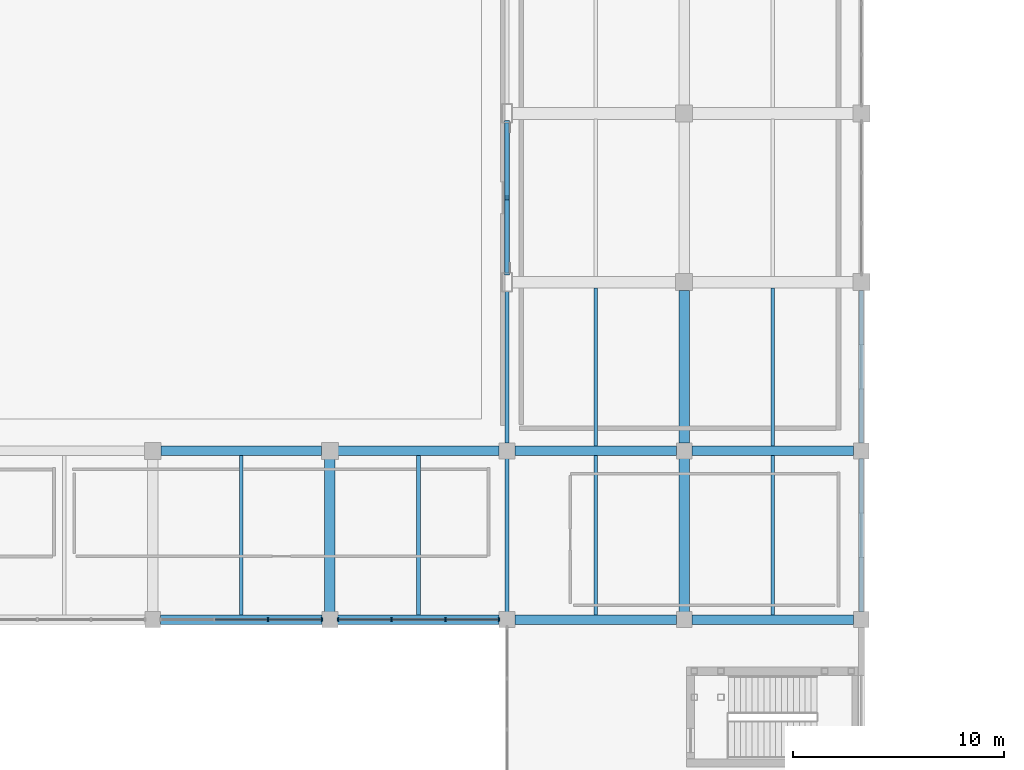
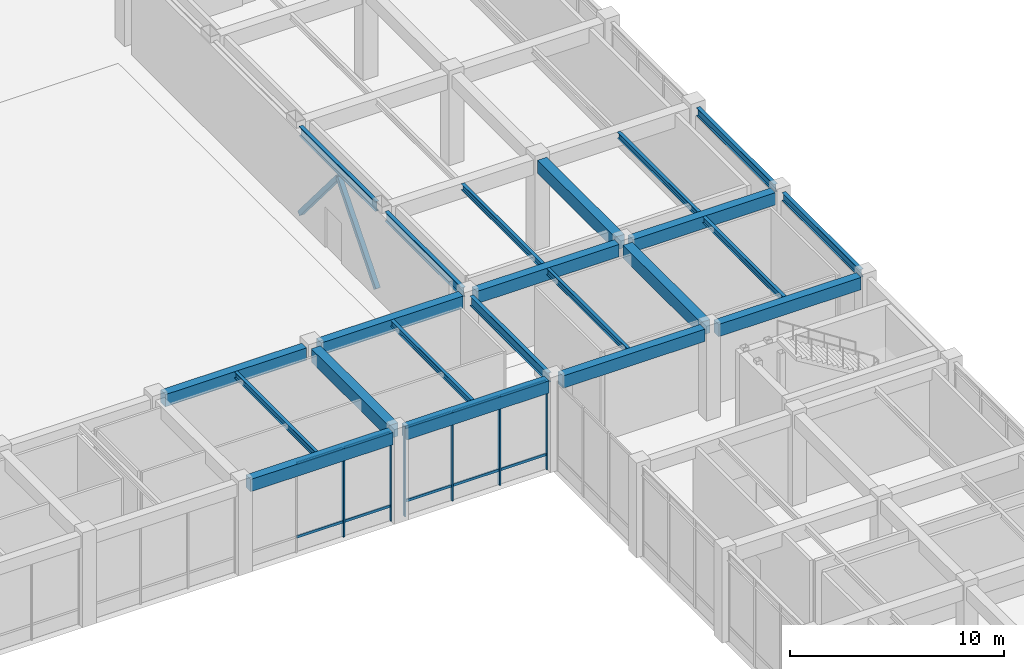
# One storey, part 39 of 79: 22 beams, 18 members, 2 elements without a shape of their own.
"""IFC4 building model written with IfcOpenShell, lengths in metres."""

from ifc_helpers import new_model, si_unit, direction, frame, origin, origin_2d, place, context, subcontext, project, spatial, rectangle, hollow_rectangle, i_section, extrude, material, layer, layer_set, material_profile, profile_set, type_object, element, aggregate, save


model = new_model("IFC4")

# Units and contexts
model_context = context("Model", 3, precision=1e-05, world=origin(), true_north=direction((0.0, 1.0)))
body_context = subcontext(model_context, "Body", "Model", "MODEL_VIEW")
ifc_project = project(units=[si_unit("LENGTHUNIT", "METRE"), si_unit("AREAUNIT", "SQUARE_METRE"), si_unit("VOLUMEUNIT", "CUBIC_METRE"), si_unit("PLANEANGLEUNIT", "RADIAN"), si_unit("MASSUNIT", "GRAM", prefix="KILO")], contexts=[model_context])

# Site, building, storey
site_placement = place(None, origin())
site = spatial("IfcSite", under=ifc_project, at=site_placement, CompositionType="ELEMENT")
building_placement = place(site_placement, origin())
building = spatial("IfcBuilding", under=site, at=building_placement, Name="Naruveol Harbour Congress Hotel", CompositionType="ELEMENT")
storey_placement = place(building_placement, frame((0.0, 0.0, 6.0)))
storey = spatial("IfcBuildingStorey", under=building, at=storey_placement, Name="L01", CompositionType="ELEMENT", Elevation=6.0)

# Beams
ifc_material_1 = material(Name="Concrete C40/50", Category="concrete")
ifc_material_profile_1 = material_profile(ifc_material_1, rectangle(XDim=0.5, YDim=0.75, at=origin_2d()), Name="RCB-500x750")
ifc_profile_set_1 = profile_set([ifc_material_profile_1], Name="Concrete C40/50")
beam_type_1 = type_object("IfcBeamType", Name="RC FLOOR GIRDER 500X750", PredefinedType="BEAM", material=ifc_profile_set_1)
beam_1_placement = place(storey_placement, frame((100.800048828125, 64.37109375, 4.7451171875), z_axis=(0.0, 1.0, 0.0), x_axis=(-1.0, 0.0, 0.0)))
element("IfcBeam", 1, at=beam_1_placement, inside=storey, type_object=beam_type_1, Name="Transverse girder L02 CB3", PredefinedType="BEAM", context=body_context, shape_type="SweptSolid", body=[
    extrude(rectangle(XDim=0.5, YDim=0.75, at=origin_2d()), origin(), (0.0, 0.0, 1.0), 7.23291015625),
])
beam_2_placement = place(storey_placement, frame((117.60009765625, 64.37109375, 4.7451171875), z_axis=(0.0, 1.0, 0.0), x_axis=(-1.0, 0.0, 0.0)))
element("IfcBeam", 2, at=beam_2_placement, inside=storey, type_object=beam_type_1, Name="Transverse girder L02 CB3", PredefinedType="BEAM", context=body_context, shape_type="SweptSolid", body=[
    extrude(rectangle(XDim=0.5, YDim=0.75, at=origin_2d()), origin(), (0.0, 0.0, 1.0), 7.2578125),
])
beam_3_placement = place(storey_placement, frame((117.60009765625, 72.37109375, 4.7451171875), z_axis=(0.0, 1.0, 0.0), x_axis=(-1.0, 0.0, 0.0)))
element("IfcBeam", 3, at=beam_3_placement, inside=storey, type_object=beam_type_1, Name="Transverse girder L02 CB3", PredefinedType="BEAM", context=body_context, shape_type="SweptSolid", body=[
    extrude(rectangle(XDim=0.5, YDim=0.75, at=origin_2d()), origin(), (0.0, 0.0, 1.0), 7.23291015625),
])
ifc_material_2 = material(Name="Concrete C40/50", Category="concrete")
ifc_material_profile_2 = material_profile(ifc_material_2, rectangle(XDim=0.449951171875, YDim=0.699951171875, at=origin_2d()), Name="RCB-450x700")
ifc_profile_set_2 = profile_set([ifc_material_profile_2], Name="Concrete C40/50")
beam_type_2 = type_object("IfcBeamType", Name="RC SPANDREL BEAM 450X700", PredefinedType="SPANDREL", material=ifc_profile_set_2)
beam_4_placement = place(storey_placement, frame((92.77099609375, 64.0, 4.800048828125), z_axis=(1.0, 0.0, 0.0), x_axis=(0.0, 1.0, 0.0)))
element("IfcBeam", 4, at=beam_4_placement, inside=storey, type_object=beam_type_2, Name="Floor girder L02 SPB1", PredefinedType="SPANDREL", context=body_context, shape_type="SweptSolid", body=[
    extrude(rectangle(XDim=0.449951171875, YDim=0.699951171875, at=origin_2d()), origin(), (0.0, 0.0, 1.0), 7.657958984375),
])
beam_5_placement = place(storey_placement, frame((101.1708984375, 64.0, 4.800048828125), z_axis=(1.0, 0.0, 0.0), x_axis=(0.0, 1.0, 0.0)))
element("IfcBeam", 5, at=beam_5_placement, inside=storey, type_object=beam_type_2, Name="Floor girder L02 SPB1", PredefinedType="SPANDREL", context=body_context, shape_type="SweptSolid", body=[
    extrude(rectangle(XDim=0.449951171875, YDim=0.699951171875, at=origin_2d()), origin(), (0.0, 0.0, 1.0), 7.658203125),
])
for number, where, z_axis, x_axis, name in (
    (6, (109.571044921875, 64.0, 4.800048828125), (1.0, 0.0, 0.0), (0.0, 1.0, 0.0), "Floor girder L02 SPB1"),
    (7, (117.970947265625, 64.0, 4.800048828125), (1.0, 0.0, 0.0), (0.0, 1.0, 0.0), "Floor girder L02 SPB1"),
):
    element("IfcBeam", number, at=place(storey_placement, frame(where, z_axis=z_axis, x_axis=x_axis)), inside=storey, type_object=beam_type_2, Name=name, PredefinedType="SPANDREL", context=body_context, shape_type="SweptSolid", body=[
        extrude(rectangle(XDim=0.449951171875, YDim=0.699951171875, at=origin_2d()), origin(), (0.0, 0.0, 1.0), 7.657958984375),
    ])
beam_6_placement = place(storey_placement, frame((92.7958984375, 72.0, 4.77001953125), z_axis=(1.0, 0.0, 0.0), x_axis=(0.0, 1.0, 0.0)))
element("IfcBeam", 8, at=beam_6_placement, inside=storey, type_object=beam_type_2, Name="Floor girder L02 SPB1", PredefinedType="SPANDREL", context=body_context, shape_type="SweptSolid", body=[
    extrude(rectangle(XDim=0.449951171875, YDim=0.699951171875, at=origin_2d()), origin(), (0.0, 0.0, 1.0), 7.608154296875),
])
beam_7_placement = place(storey_placement, frame((101.196044921875, 72.0, 4.77001953125), z_axis=(1.0, 0.0, 0.0), x_axis=(0.0, 1.0, 0.0)))
element("IfcBeam", 9, at=beam_7_placement, inside=storey, type_object=beam_type_2, Name="Floor girder L02 SPB1", PredefinedType="SPANDREL", context=body_context, shape_type="SweptSolid", body=[
    extrude(rectangle(XDim=0.449951171875, YDim=0.699951171875, at=origin_2d()), origin(), (0.0, 0.0, 1.0), 7.633056640625),
])
for number, where, z_axis, x_axis, name in (
    (10, (109.571044921875, 72.0, 4.77001953125), (1.0, 0.0, 0.0), (0.0, 1.0, 0.0), "Floor girder L02 SPB1"),
    (11, (117.970947265625, 72.0, 4.77001953125), (1.0, 0.0, 0.0), (0.0, 1.0, 0.0), "Floor girder L02 SPB1"),
):
    element("IfcBeam", number, at=place(storey_placement, frame(where, z_axis=z_axis, x_axis=x_axis)), inside=storey, type_object=beam_type_2, Name=name, PredefinedType="SPANDREL", context=body_context, shape_type="SweptSolid", body=[
        extrude(rectangle(XDim=0.449951171875, YDim=0.699951171875, at=origin_2d()), origin(), (0.0, 0.0, 1.0), 7.657958984375),
    ])
ifc_material_3 = material(Name="Steel SN490", Category="steel")
ifc_material_profile_3 = material_profile(ifc_material_3, i_section(OverallWidth=0.199951171875, OverallDepth=0.550048828125, WebThickness=0.010986328125, FlangeThickness=0.01708984375, at=origin_2d()), Name="H-550x200x11x17")
ifc_profile_set_3 = profile_set([ifc_material_profile_3], Name="Steel SN490")
beam_type_3 = type_object("IfcBeamType", Name="STEEL HALL GALLERY BEAM H550", PredefinedType="BEAM", material=ifc_profile_set_3)
beam_8_placement = place(storey_placement, frame((109.199951171875, 64.37109375, 4.844970703125), z_axis=(0.0, 1.0, 0.0), x_axis=(-1.0, 0.0, 0.0)))
element("IfcBeam", 12, at=beam_8_placement, inside=storey, type_object=beam_type_3, Name="Transverse girder L02 SB4", PredefinedType="BEAM", context=body_context, shape_type="SweptSolid", body=[
    extrude(i_section(OverallWidth=0.199951171875, OverallDepth=0.550048828125, WebThickness=0.010986328125, FlangeThickness=0.01708984375, at=origin_2d()), origin(), (0.0, 0.0, 1.0), 7.2578125),
])
beam_9_placement = place(storey_placement, frame((109.199951171875, 72.37109375, 4.844970703125), z_axis=(0.0, 1.0, 0.0), x_axis=(-1.0, 0.0, 0.0)))
element("IfcBeam", 13, at=beam_9_placement, inside=storey, type_object=beam_type_3, Name="Transverse girder L02 SB4", PredefinedType="BEAM", context=body_context, shape_type="SweptSolid", body=[
    extrude(i_section(OverallWidth=0.199951171875, OverallDepth=0.550048828125, WebThickness=0.010986328125, FlangeThickness=0.01708984375, at=origin_2d()), origin(), (0.0, 0.0, 1.0), 7.182861328125),
])
beam_10_placement = place(storey_placement, frame((109.199951171875, 80.446044921875, 4.844970703125), z_axis=(0.0, 1.0, 0.0), x_axis=(-1.0, 0.0, 0.0)))
element("IfcBeam", 14, at=beam_10_placement, inside=storey, type_object=beam_type_3, Name="Transverse girder L02 SB4", PredefinedType="BEAM", context=body_context, shape_type="SweptSolid", body=[
    extrude(i_section(OverallWidth=0.199951171875, OverallDepth=0.550048828125, WebThickness=0.010986328125, FlangeThickness=0.01708984375, at=origin_2d()), origin(), (0.0, 0.0, 1.0), 7.10791015625),
])

# Members
ifc_material_4 = material(Name="Steel SN490", Category="steel")
ifc_material_profile_4 = material_profile(ifc_material_4, hollow_rectangle(XDim=0.25, YDim=0.25, WallThickness=0.011962890625, at=origin_2d()), Name="SHS-250x250x12")
ifc_profile_set_4 = profile_set([ifc_material_profile_4], Name="Steel SN490")
member_type_1 = type_object("IfcMemberType", Name="STEEL LATERAL FRAME BRACE SHS250", PredefinedType="BRACE", material=ifc_profile_set_4)
for number, where, z_axis, x_axis, name in (
    (15, (109.199951171875, 80.43994140625, 0.159912109375), (0.0, 0.645686146486, 0.76360290743), (-1.0, 0.0, 0.0), "Lateral chevron brace L01 #14A"),
    (16, (109.199951171875, 87.56005859375, 0.159912109375), (0.0, -0.645686146486, 0.76360290743), (1.0, 0.0, 0.0), "Lateral chevron brace L01 #14B"),
):
    element("IfcMember", number, at=place(storey_placement, frame(where, z_axis=z_axis, x_axis=x_axis)), inside=storey, type_object=member_type_1, Name=name, PredefinedType="BRACE", context=body_context, shape_type="SweptSolid", body=[
        extrude(hollow_rectangle(XDim=0.25, YDim=0.25, WallThickness=0.011962890625, at=origin_2d()), origin(), (0.0, 0.0, 1.0), 5.513671875),
    ])

# Beams
ifc_material_5 = material(Name="Steel SN490", Category="steel")
ifc_material_profile_5 = material_profile(ifc_material_5, i_section(OverallWidth=0.175048828125, OverallDepth=0.35009765625, WebThickness=0.007080078125, FlangeThickness=0.010986328125, at=origin_2d()), Name="H-350x175x7x11")
ifc_profile_set_5 = profile_set([ifc_material_profile_5], Name="Steel SN490")
beam_type_4 = type_object("IfcBeamType", Name="STEEL SECONDARY JOIST H350", PredefinedType="JOIST", material=ifc_profile_set_5)
for number, where, z_axis, x_axis, name in (
    (17, (96.60009765625, 64.220947265625, 4.945068359375), (0.0, 1.0, 0.0), (-1.0, 0.0, 0.0), "Secondary floor joist L02 SJ2"),
    (18, (105.0, 64.220947265625, 4.945068359375), (0.0, 1.0, 0.0), (-1.0, 0.0, 0.0), "Secondary floor joist L02 SJ2"),
    (19, (113.39990234375, 64.220947265625, 4.945068359375), (0.0, 1.0, 0.0), (-1.0, 0.0, 0.0), "Secondary floor joist L02 SJ2"),
    (20, (121.800048828125, 64.220947265625, 4.945068359375), (0.0, 1.0, 0.0), (-1.0, 0.0, 0.0), "Secondary floor joist L02 SJ2"),
):
    element("IfcBeam", number, at=place(storey_placement, frame(where, z_axis=z_axis, x_axis=x_axis)), inside=storey, type_object=beam_type_4, Name=name, PredefinedType="JOIST", context=body_context, shape_type="SweptSolid", body=[
        extrude(i_section(OverallWidth=0.175048828125, OverallDepth=0.35009765625, WebThickness=0.007080078125, FlangeThickness=0.010986328125, at=origin_2d()), origin(), (0.0, 0.0, 1.0), 7.55810546875),
    ])
for number, where, z_axis, x_axis, name in (
    (21, (113.39990234375, 72.220947265625, 4.945068359375), (0.0, 1.0, 0.0), (-1.0, 0.0, 0.0), "Secondary floor joist L02 SJ2"),
    (22, (121.800048828125, 72.220947265625, 4.945068359375), (0.0, 1.0, 0.0), (-1.0, 0.0, 0.0), "Secondary floor joist L02 SJ2"),
):
    element("IfcBeam", number, at=place(storey_placement, frame(where, z_axis=z_axis, x_axis=x_axis)), inside=storey, type_object=beam_type_4, Name=name, PredefinedType="JOIST", context=body_context, shape_type="SweptSolid", body=[
        extrude(i_section(OverallWidth=0.175048828125, OverallDepth=0.35009765625, WebThickness=0.007080078125, FlangeThickness=0.010986328125, at=origin_2d()), origin(), (0.0, 0.0, 1.0), 7.508056640625),
    ])
ifc_material_6 = material(Name="Steel SN490", Category="steel")
ifc_material_profile_6 = material_profile(ifc_material_6, i_section(OverallWidth=0.199951171875, OverallDepth=0.449951171875, WebThickness=0.009033203125, FlangeThickness=0.013916015625, at=origin_2d()), Name="H-450x200x9x14")
ifc_profile_set_6 = profile_set([ifc_material_profile_6], Name="Steel SN490")
beam_type_5 = type_object("IfcBeamType", Name="STEEL SPANDREL EDGE BEAM H450", PredefinedType="SPANDREL", material=ifc_profile_set_6)
beam_11_placement = place(storey_placement, frame((126.0, 64.37109375, 4.89501953125), z_axis=(0.0, 1.0, 0.0), x_axis=(-1.0, 0.0, 0.0)))
element("IfcBeam", 23, at=beam_11_placement, inside=storey, type_object=beam_type_5, Name="Transverse girder L02 SPB2", PredefinedType="SPANDREL", context=body_context, shape_type="SweptSolid", body=[
    extrude(i_section(OverallWidth=0.199951171875, OverallDepth=0.449951171875, WebThickness=0.009033203125, FlangeThickness=0.013916015625, at=origin_2d()), origin(), (0.0, 0.0, 1.0), 7.2578125),
])
beam_12_placement = place(storey_placement, frame((126.0, 72.37109375, 4.89501953125), z_axis=(0.0, 1.0, 0.0), x_axis=(-1.0, 0.0, 0.0)))
element("IfcBeam", 24, at=beam_12_placement, inside=storey, type_object=beam_type_5, Name="Transverse girder L02 SPB2", PredefinedType="SPANDREL", context=body_context, shape_type="SweptSolid", body=[
    extrude(i_section(OverallWidth=0.199951171875, OverallDepth=0.449951171875, WebThickness=0.009033203125, FlangeThickness=0.013916015625, at=origin_2d()), origin(), (0.0, 0.0, 1.0), 7.23291015625),
])

# Curtain wall, members
ifc_material_7 = material(Name="Low-E Curtain Wall System", Category="glass")
ifc_layer = layer(ifc_material_7, 0.179931640625)
ifc_layer_set = layer_set([ifc_layer], Name="Low-E Curtain Wall System")
curtain_wall_type = type_object("IfcCurtainWallType", Name="UNITISED CURTAIN WALL CW-CTN-34 7650X5100", PredefinedType="USERDEFINED", material=ifc_layer_set)
curtain_wall_1_placement = place(storey_placement, origin())
curtain_wall_1 = element("IfcCurtainWall", 25, at=curtain_wall_1_placement, inside=storey, type_object=curtain_wall_type, Name="Unitised curtain wall CW-CTN-34 L01", ObjectType="UNITISED GLAZING", PredefinedType="USERDEFINED")
ifc_material_8 = material(Name="Anodised Aluminium 6063-T6", Category="aluminium")
ifc_material_profile_7 = material_profile(ifc_material_8, rectangle(XDim=0.074951171875, YDim=0.179931640625, at=origin_2d()), Name="ALU-75x180")
ifc_profile_set_7 = profile_set([ifc_material_profile_7], Name="Anodised Aluminium 6063-T6")
member_type_2 = type_object("IfcMemberType", Name="THERMAL ALUMINIUM MULLION 75X180", PredefinedType="MULLION", material=ifc_profile_set_7)
member_1_placement = place(storey_placement, frame((100.425048828125, 64.0, 0.0), z_axis=(0.0, 0.0, 1.0), x_axis=(1.0, 0.0, 0.0)))
member_1 = element("IfcMember", 26, at=member_1_placement, type_object=member_type_2, Name="Curtain wall mullion CW-L01-0084-M0", PredefinedType="MULLION", context=body_context, shape_type="SweptSolid", body=[
    extrude(rectangle(XDim=0.074951171875, YDim=0.179931640625, at=origin_2d()), origin(), (0.0, 0.0, 1.0), 5.10009765625),
])
member_2_placement = place(storey_placement, frame((97.875, 64.0, 0.0), z_axis=(0.0, 0.0, 1.0), x_axis=(1.0, 0.0, 0.0)))
member_2 = element("IfcMember", 27, at=member_2_placement, type_object=member_type_2, Name="Curtain wall mullion CW-L01-0084-M1", PredefinedType="MULLION", context=body_context, shape_type="SweptSolid", body=[
    extrude(rectangle(XDim=0.074951171875, YDim=0.179931640625, at=origin_2d()), origin(), (0.0, 0.0, 1.0), 5.10009765625),
])

curtain_wall_2_placement = place(storey_placement, origin())
curtain_wall_2 = element("IfcCurtainWall", 28, at=curtain_wall_2_placement, inside=storey, type_object=curtain_wall_type, Name="Unitised curtain wall CW-CTN-34 L01", ObjectType="UNITISED GLAZING", PredefinedType="USERDEFINED")
member_3_placement = place(storey_placement, frame((108.824951171875, 64.0, 0.0), z_axis=(0.0, 0.0, 1.0), x_axis=(1.0, 0.0, 0.0)))
member_3 = element("IfcMember", 29, at=member_3_placement, type_object=member_type_2, Name="Curtain wall mullion CW-L01-0086-M0", PredefinedType="MULLION", context=body_context, shape_type="SweptSolid", body=[
    extrude(rectangle(XDim=0.074951171875, YDim=0.179931640625, at=origin_2d()), origin(), (0.0, 0.0, 1.0), 5.10009765625),
])
member_4_placement = place(storey_placement, frame((106.27490234375, 64.0, 0.0), z_axis=(0.0, 0.0, 1.0), x_axis=(1.0, 0.0, 0.0)))
member_4 = element("IfcMember", 30, at=member_4_placement, type_object=member_type_2, Name="Curtain wall mullion CW-L01-0086-M1", PredefinedType="MULLION", context=body_context, shape_type="SweptSolid", body=[
    extrude(rectangle(XDim=0.074951171875, YDim=0.179931640625, at=origin_2d()), origin(), (0.0, 0.0, 1.0), 5.10009765625),
])
member_5_placement = place(storey_placement, frame((103.72509765625, 64.0, 0.0), z_axis=(0.0, 0.0, 1.0), x_axis=(1.0, 0.0, 0.0)))
member_5 = element("IfcMember", 31, at=member_5_placement, type_object=member_type_2, Name="Curtain wall mullion CW-L01-0086-M2", PredefinedType="MULLION", context=body_context, shape_type="SweptSolid", body=[
    extrude(rectangle(XDim=0.074951171875, YDim=0.179931640625, at=origin_2d()), origin(), (0.0, 0.0, 1.0), 5.10009765625),
])
member_6_placement = place(storey_placement, frame((101.175048828125, 64.0, 0.0), z_axis=(0.0, 0.0, 1.0), x_axis=(1.0, 0.0, 0.0)))
member_6 = element("IfcMember", 32, at=member_6_placement, type_object=member_type_2, Name="Curtain wall mullion CW-L01-0086-M3", PredefinedType="MULLION", context=body_context, shape_type="SweptSolid", body=[
    extrude(rectangle(XDim=0.074951171875, YDim=0.179931640625, at=origin_2d()), origin(), (0.0, 0.0, 1.0), 5.10009765625),
])

# Member
ifc_material_9 = material(Name="Anodised Aluminium 6063-T6", Category="aluminium")
ifc_material_profile_8 = material_profile(ifc_material_9, rectangle(XDim=0.074951171875, YDim=0.14990234375, at=origin_2d()), Name="ALU-75x150")
ifc_profile_set_8 = profile_set([ifc_material_profile_8], Name="Anodised Aluminium 6063-T6")
member_type_3 = type_object("IfcMemberType", Name="THERMAL ALUMINIUM TRANSOM 75X150", PredefinedType="USERDEFINED", material=ifc_profile_set_8)
member_7_placement = place(storey_placement, frame((100.385009765625, 64.0, 0.85009765625), z_axis=(-1.0, 0.0, 0.0), x_axis=(0.0, -1.0, 0.0)))
member_7 = element("IfcMember", 33, at=member_7_placement, type_object=member_type_3, Name="Curtain wall transom CW-L01-0084-T0.1", ObjectType="TRANSOM", PredefinedType="USERDEFINED", context=body_context, shape_type="SweptSolid", body=[
    extrude(rectangle(XDim=0.074951171875, YDim=0.14990234375, at=origin_2d()), origin(), (0.0, 0.0, 1.0), 2.469970703125),
])

member_8_placement = place(storey_placement, frame((100.385009765625, 64.0, 5.02001953125), z_axis=(-1.0, 0.0, 0.0), x_axis=(0.0, -1.0, 0.0)))
member_8 = element("IfcMember", 34, at=member_8_placement, type_object=member_type_3, Name="Curtain wall transom CW-L01-0084-T0.2", ObjectType="TRANSOM", PredefinedType="USERDEFINED", context=body_context, shape_type="SweptSolid", body=[
    extrude(rectangle(XDim=0.074951171875, YDim=0.14990234375, at=origin_2d()), origin(), (0.0, 0.0, 1.0), 2.469970703125),
])

member_9_placement = place(storey_placement, frame((97.8349609375, 64.0, 0.85009765625), z_axis=(-1.0, 0.0, 0.0), x_axis=(0.0, -1.0, 0.0)))
member_9 = element("IfcMember", 35, at=member_9_placement, type_object=member_type_3, Name="Curtain wall transom CW-L01-0084-T1.1", ObjectType="TRANSOM", PredefinedType="USERDEFINED", context=body_context, shape_type="SweptSolid", body=[
    extrude(rectangle(XDim=0.074951171875, YDim=0.14990234375, at=origin_2d()), origin(), (0.0, 0.0, 1.0), 2.469970703125),
])

member_10_placement = place(storey_placement, frame((97.8349609375, 64.0, 5.02001953125), z_axis=(-1.0, 0.0, 0.0), x_axis=(0.0, -1.0, 0.0)))
member_10 = element("IfcMember", 36, at=member_10_placement, type_object=member_type_3, Name="Curtain wall transom CW-L01-0084-T1.2", ObjectType="TRANSOM", PredefinedType="USERDEFINED", context=body_context, shape_type="SweptSolid", body=[
    extrude(rectangle(XDim=0.074951171875, YDim=0.14990234375, at=origin_2d()), origin(), (0.0, 0.0, 1.0), 2.469970703125),
])

aggregate(curtain_wall_1, [member_1, member_2, member_7, member_8, member_9, member_10])

member_11_placement = place(storey_placement, frame((108.784912109375, 64.0, 0.85009765625), z_axis=(-1.0, 0.0, 0.0), x_axis=(0.0, -1.0, 0.0)))
member_11 = element("IfcMember", 37, at=member_11_placement, type_object=member_type_3, Name="Curtain wall transom CW-L01-0086-T0.1", ObjectType="TRANSOM", PredefinedType="USERDEFINED", context=body_context, shape_type="SweptSolid", body=[
    extrude(rectangle(XDim=0.074951171875, YDim=0.14990234375, at=origin_2d()), origin(), (0.0, 0.0, 1.0), 2.469970703125),
])

member_12_placement = place(storey_placement, frame((108.784912109375, 64.0, 5.02001953125), z_axis=(-1.0, 0.0, 0.0), x_axis=(0.0, -1.0, 0.0)))
member_12 = element("IfcMember", 38, at=member_12_placement, type_object=member_type_3, Name="Curtain wall transom CW-L01-0086-T0.2", ObjectType="TRANSOM", PredefinedType="USERDEFINED", context=body_context, shape_type="SweptSolid", body=[
    extrude(rectangle(XDim=0.074951171875, YDim=0.14990234375, at=origin_2d()), origin(), (0.0, 0.0, 1.0), 2.469970703125),
])

member_13_placement = place(storey_placement, frame((106.235107421875, 64.0, 0.85009765625), z_axis=(-1.0, 0.0, 0.0), x_axis=(0.0, -1.0, 0.0)))
member_13 = element("IfcMember", 39, at=member_13_placement, type_object=member_type_3, Name="Curtain wall transom CW-L01-0086-T1.1", ObjectType="TRANSOM", PredefinedType="USERDEFINED", context=body_context, shape_type="SweptSolid", body=[
    extrude(rectangle(XDim=0.074951171875, YDim=0.14990234375, at=origin_2d()), origin(), (0.0, 0.0, 1.0), 2.47021484375),
])

member_14_placement = place(storey_placement, frame((106.235107421875, 64.0, 5.02001953125), z_axis=(-1.0, 0.0, 0.0), x_axis=(0.0, -1.0, 0.0)))
member_14 = element("IfcMember", 40, at=member_14_placement, type_object=member_type_3, Name="Curtain wall transom CW-L01-0086-T1.2", ObjectType="TRANSOM", PredefinedType="USERDEFINED", context=body_context, shape_type="SweptSolid", body=[
    extrude(rectangle(XDim=0.074951171875, YDim=0.14990234375, at=origin_2d()), origin(), (0.0, 0.0, 1.0), 2.47021484375),
])

member_15_placement = place(storey_placement, frame((103.68505859375, 64.0, 0.85009765625), z_axis=(-1.0, 0.0, 0.0), x_axis=(0.0, -1.0, 0.0)))
member_15 = element("IfcMember", 41, at=member_15_placement, type_object=member_type_3, Name="Curtain wall transom CW-L01-0086-T2.1", ObjectType="TRANSOM", PredefinedType="USERDEFINED", context=body_context, shape_type="SweptSolid", body=[
    extrude(rectangle(XDim=0.074951171875, YDim=0.14990234375, at=origin_2d()), origin(), (0.0, 0.0, 1.0), 2.469970703125),
])

member_16_placement = place(storey_placement, frame((103.68505859375, 64.0, 5.02001953125), z_axis=(-1.0, 0.0, 0.0), x_axis=(0.0, -1.0, 0.0)))
member_16 = element("IfcMember", 42, at=member_16_placement, type_object=member_type_3, Name="Curtain wall transom CW-L01-0086-T2.2", ObjectType="TRANSOM", PredefinedType="USERDEFINED", context=body_context, shape_type="SweptSolid", body=[
    extrude(rectangle(XDim=0.074951171875, YDim=0.14990234375, at=origin_2d()), origin(), (0.0, 0.0, 1.0), 2.469970703125),
])

aggregate(curtain_wall_2, [member_3, member_4, member_5, member_6, member_11, member_12, member_13, member_14, member_15, member_16])

save(model, "model.ifc")
